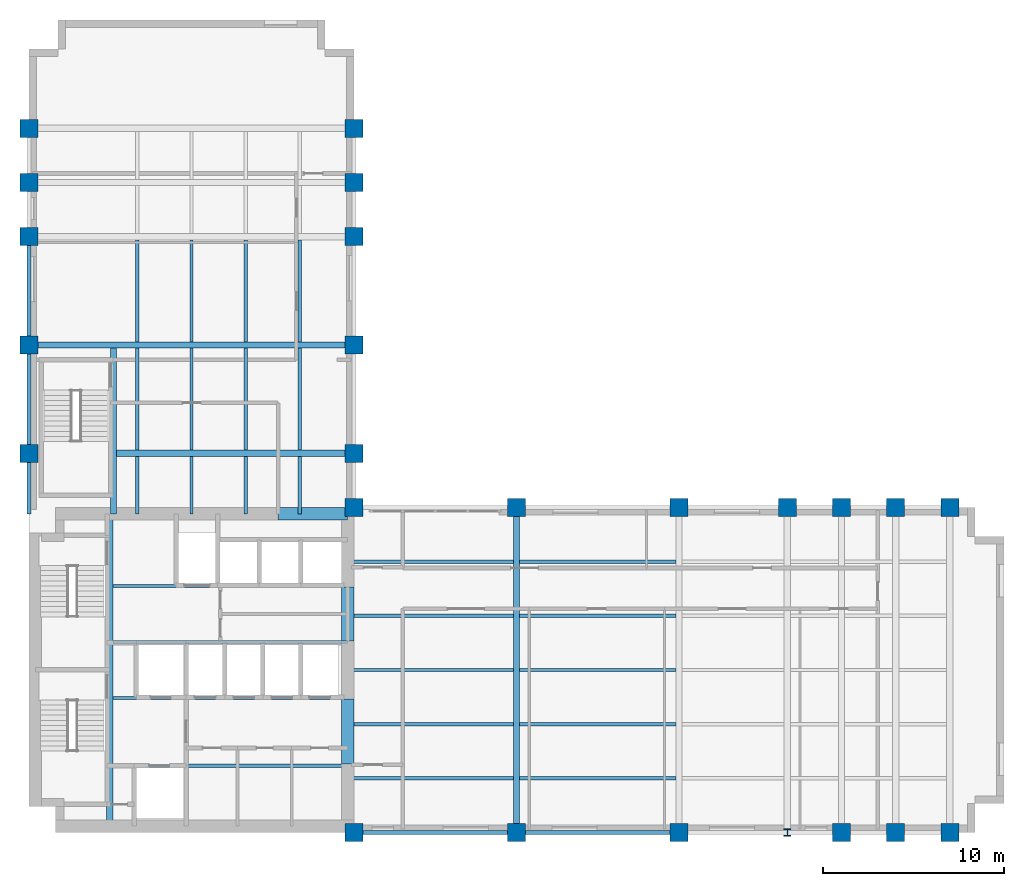
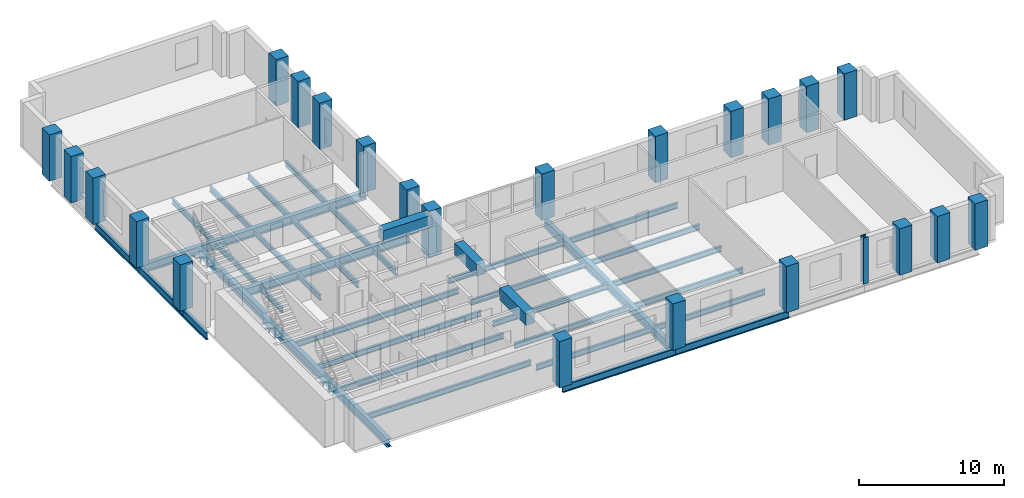
# One storey, part 1 of 8: 39 beams, 24 columns.
"""IFC4 building model written with IfcOpenShell, lengths in metres."""

from ifc_helpers import new_model, si_unit, direction, frame, origin, origin_2d, place, context, subcontext, project, spatial, rectangle, i_section, extrude, material, material_profile, profile_set, type_object, element, save


model = new_model("IFC4")

# Units and contexts
model_context = context("Model", 3, precision=1e-05, world=origin(), true_north=direction((0.0, 1.0)))
body_context = subcontext(model_context, "Body", "Model", "MODEL_VIEW")
ifc_project = project(units=[si_unit("LENGTHUNIT", "METRE"), si_unit("AREAUNIT", "SQUARE_METRE"), si_unit("VOLUMEUNIT", "CUBIC_METRE"), si_unit("PLANEANGLEUNIT", "RADIAN"), si_unit("MASSUNIT", "GRAM", prefix="KILO")], contexts=[model_context])

# Site, building, storey
site_placement = place(None, origin())
site = spatial("IfcSite", under=ifc_project, at=site_placement, CompositionType="ELEMENT")
building_placement = place(site_placement, origin())
building = spatial("IfcBuilding", under=site, at=building_placement, Name="Mawjdan Bourse Tower", CompositionType="ELEMENT")
storey_placement = place(building_placement, frame((0.0, 0.0, 132.300048828125)))
storey = spatial("IfcBuildingStorey", under=building, at=storey_placement, Name="L31", CompositionType="ELEMENT", Elevation=132.300048828125)

# Columns
ifc_material_1 = material(Name="Concrete C70/85", Category="concrete")
ifc_material_profile_1 = material_profile(ifc_material_1, rectangle(XDim=1.0, YDim=1.0, at=origin_2d()), Name="RC1000X1000")
ifc_profile_set_1 = profile_set([ifc_material_profile_1], Name="Concrete C70/85")
column_type_1 = type_object("IfcColumnType", Name="COL-RC1000X1000", PredefinedType="COLUMN", material=ifc_profile_set_1)
for number, where, z_axis, x_axis, name in (
    (1, (24.0, 3.0, 0.0), (0.0, 0.0, 1.0), (1.0, 0.0, 0.0), "L31 Structural Column C-X240-Y30"),
    (2, (24.0, 21.0, 0.0), (0.0, 0.0, 1.0), (1.0, 0.0, 0.0), "L31 Structural Column C-X240-Y210"),
    (3, (33.0, 3.0, 0.0), (0.0, 0.0, 1.0), (1.0, 0.0, 0.0), "L31 Structural Column C-X330-Y30"),
    (4, (33.0, 21.0, 0.0), (0.0, 0.0, 1.0), (1.0, 0.0, 0.0), "L31 Structural Column C-X330-Y210"),
    (5, (42.0, 3.0, 0.0), (0.0, 0.0, 1.0), (1.0, 0.0, 0.0), "L31 Structural Column C-X420-Y30"),
    (6, (42.0, 21.0, 0.0), (0.0, 0.0, 1.0), (1.0, 0.0, 0.0), "L31 Structural Column C-X420-Y210"),
    (7, (48.0, 21.0, 0.0), (0.0, 0.0, 1.0), (1.0, 0.0, 0.0), "L31 Structural Column C-X480-Y210"),
    (8, (51.0, 3.0, 0.0), (0.0, 0.0, 1.0), (1.0, 0.0, 0.0), "L31 Structural Column C-X510-Y30"),
    (9, (51.0, 21.0, 0.0), (0.0, 0.0, 1.0), (1.0, 0.0, 0.0), "L31 Structural Column C-X510-Y210"),
    (10, (54.0, 3.0, 0.0), (0.0, 0.0, 1.0), (1.0, 0.0, 0.0), "L31 Structural Column C-X540-Y30"),
    (11, (54.0, 21.0, 0.0), (0.0, 0.0, 1.0), (1.0, 0.0, 0.0), "L31 Structural Column C-X540-Y210"),
    (12, (57.0, 3.0, 0.0), (0.0, 0.0, 1.0), (1.0, 0.0, 0.0), "L31 Structural Column C-X570-Y30"),
    (13, (57.0, 21.0, 0.0), (0.0, 0.0, 1.0), (1.0, 0.0, 0.0), "L31 Structural Column C-X570-Y210"),
    (14, (6.0, 24.0, 0.0), (0.0, 0.0, 1.0), (1.0, 0.0, 0.0), "L31 Structural Column C-X60-Y240"),
    (15, (24.0, 24.0, 0.0), (0.0, 0.0, 1.0), (1.0, 0.0, 0.0), "L31 Structural Column C-X240-Y240"),
    (16, (6.0, 30.0, 0.0), (0.0, 0.0, 1.0), (1.0, 0.0, 0.0), "L31 Structural Column C-X60-Y300"),
    (17, (24.0, 30.0, 0.0), (0.0, 0.0, 1.0), (1.0, 0.0, 0.0), "L31 Structural Column C-X240-Y300"),
    (18, (6.0, 36.0, 0.0), (0.0, 0.0, 1.0), (1.0, 0.0, 0.0), "L31 Structural Column C-X60-Y360"),
    (19, (24.0, 36.0, 0.0), (0.0, 0.0, 1.0), (1.0, 0.0, 0.0), "L31 Structural Column C-X240-Y360"),
    (20, (6.0, 39.0, 0.0), (0.0, 0.0, 1.0), (1.0, 0.0, 0.0), "L31 Structural Column C-X60-Y390"),
    (21, (24.0, 39.0, 0.0), (0.0, 0.0, 1.0), (1.0, 0.0, 0.0), "L31 Structural Column C-X240-Y390"),
    (22, (6.0, 42.0, 0.0), (0.0, 0.0, 1.0), (1.0, 0.0, 0.0), "L31 Structural Column C-X60-Y420"),
    (23, (24.0, 42.0, 0.0), (0.0, 0.0, 1.0), (1.0, 0.0, 0.0), "L31 Structural Column C-X240-Y420"),
):
    element("IfcColumn", number, at=place(storey_placement, frame(where, z_axis=z_axis, x_axis=x_axis)), inside=storey, type_object=column_type_1, Name=name, PredefinedType="COLUMN", context=body_context, shape_type="SweptSolid", body=[
        extrude(rectangle(XDim=1.0, YDim=1.0, at=origin_2d()), origin(), (0.0, 0.0, 1.0), 3.89990234375),
    ])
ifc_material_2 = material(Name="Structural Steel S355", Category="steel")
ifc_material_profile_2 = material_profile(ifc_material_2, i_section(OverallWidth=0.40087890625, OverallDepth=0.39892578125, WebThickness=0.02490234375, FlangeThickness=0.03955078125, FilletRadius=0.03173828125, at=origin_2d()), Name="W14X211")
ifc_profile_set_2 = profile_set([ifc_material_profile_2], Name="Structural Steel S355")
column_type_2 = type_object("IfcColumnType", Name="COL-W14X211", PredefinedType="COLUMN", material=ifc_profile_set_2)
column_placement = place(storey_placement, frame((48.0, 3.0, 0.0), z_axis=(0.0, 0.0, 1.0), x_axis=(1.0, 0.0, 0.0)))
element("IfcColumn", 24, at=column_placement, inside=storey, type_object=column_type_2, Name="L31 Structural Column C-X480-Y30", PredefinedType="COLUMN", context=body_context, shape_type="SweptSolid", body=[
    extrude(i_section(OverallWidth=0.40087890625, OverallDepth=0.39892578125, WebThickness=0.02490234375, FlangeThickness=0.03955078125, FilletRadius=0.03173828125, at=origin_2d()), origin(), (0.0, 0.0, 1.0), 3.89990234375),
])

# Beams
ifc_material_profile_3 = material_profile(ifc_material_2, i_section(OverallWidth=0.35498046875, OverallDepth=0.696044921875, WebThickness=0.015380859375, FlangeThickness=0.02490234375, FilletRadius=0.019775390625, at=origin_2d()), Name="W27X146")
ifc_profile_set_3 = profile_set([ifc_material_profile_3], Name="Structural Steel S355")
beam_type_1 = type_object("IfcBeamType", Name="GRD-W27X146", PredefinedType="BEAM", material=ifc_profile_set_3)
beam_1_placement = place(storey_placement, frame((10.47998046875, 3.35009765625, -0.548095703125), z_axis=(0.0, 1.0, 0.0), x_axis=(-1.0, 0.0, 0.0)))
element("IfcBeam", 25, at=beam_1_placement, inside=storey, type_object=beam_type_1, Name="L31 Core Stair Trimmer Girder 001", PredefinedType="BEAM", context=body_context, shape_type="SweptSolid", body=[
    extrude(i_section(OverallWidth=0.35498046875, OverallDepth=0.696044921875, WebThickness=0.015380859375, FlangeThickness=0.02490234375, FilletRadius=0.019775390625, at=origin_2d()), origin(), (0.0, 0.0, 1.0), 17.2998046875),
])
beam_2_placement = place(storey_placement, frame((33.0, 3.0, -0.548095703125), z_axis=(0.0, 1.0, 0.0), x_axis=(-1.0, 0.0, 0.0)))
element("IfcBeam", 26, at=beam_2_placement, inside=storey, type_object=beam_type_1, Name="L31 East Wing Clear-Span Girder 002", PredefinedType="BEAM", context=body_context, shape_type="SweptSolid", body=[
    extrude(i_section(OverallWidth=0.35498046875, OverallDepth=0.696044921875, WebThickness=0.015380859375, FlangeThickness=0.02490234375, FilletRadius=0.019775390625, at=origin_2d()), origin(), (0.0, 0.0, 1.0), 18.0),
])
beam_3_placement = place(storey_placement, frame((10.679931640625, 20.64990234375, -0.548095703125), z_axis=(0.0, 1.0, 0.0), x_axis=(-1.0, 0.0, 0.0)))
element("IfcBeam", 27, at=beam_3_placement, inside=storey, type_object=beam_type_1, Name="L31 North Wing Stair Trimmer Girder 054", PredefinedType="BEAM", context=body_context, shape_type="SweptSolid", body=[
    extrude(i_section(OverallWidth=0.35498046875, OverallDepth=0.696044921875, WebThickness=0.015380859375, FlangeThickness=0.02490234375, FilletRadius=0.019775390625, at=origin_2d()), origin(), (0.0, 0.0, 1.0), 9.174560546875),
])
beam_4_placement = place(storey_placement, frame((10.85546875, 24.0, -0.548095703125), z_axis=(1.0, 0.0, 0.0), x_axis=(0.0, 1.0, 0.0)))
element("IfcBeam", 28, at=beam_4_placement, inside=storey, type_object=beam_type_1, Name="L31 North Wing Clear-Span Girder 055", PredefinedType="BEAM", context=body_context, shape_type="SweptSolid", body=[
    extrude(i_section(OverallWidth=0.35498046875, OverallDepth=0.696044921875, WebThickness=0.015380859375, FlangeThickness=0.02490234375, FilletRadius=0.019775390625, at=origin_2d()), origin(), (0.0, 0.0, 1.0), 13.14453125),
])
beam_5_placement = place(storey_placement, frame((6.0, 30.0, -0.548095703125), z_axis=(1.0, 0.0, 0.0), x_axis=(0.0, 1.0, 0.0)))
element("IfcBeam", 29, at=beam_5_placement, inside=storey, type_object=beam_type_1, Name="L31 North Wing Clear-Span Girder 056", PredefinedType="BEAM", context=body_context, shape_type="SweptSolid", body=[
    extrude(i_section(OverallWidth=0.35498046875, OverallDepth=0.696044921875, WebThickness=0.015380859375, FlangeThickness=0.02490234375, FilletRadius=0.019775390625, at=origin_2d()), origin(), (0.0, 0.0, 1.0), 18.0),
])
ifc_material_profile_4 = material_profile(ifc_material_2, i_section(OverallWidth=0.18994140625, OverallDepth=0.45703125, WebThickness=0.009033203125, FlangeThickness=0.014404296875, FilletRadius=0.01171875, at=origin_2d()), Name="W18X50")
ifc_profile_set_4 = profile_set([ifc_material_profile_4], Name="Structural Steel S355")
beam_type_2 = type_object("IfcBeamType", Name="JST-W18X50", PredefinedType="JOIST", material=ifc_profile_set_4)
beam_6_placement = place(storey_placement, frame((23.64990234375, 6.0, -0.428466796875), z_axis=(1.0, 0.0, 0.0), x_axis=(0.0, 1.0, 0.0)))
element("IfcBeam", 30, at=beam_6_placement, inside=storey, type_object=beam_type_2, Name="L31 East Wing Composite Joist 020", PredefinedType="JOIST", context=body_context, shape_type="SweptSolid", body=[
    extrude(i_section(OverallWidth=0.18994140625, OverallDepth=0.45703125, WebThickness=0.009033203125, FlangeThickness=0.014404296875, FilletRadius=0.01171875, at=origin_2d()), origin(), (0.0, 0.0, 1.0), 9.174560546875),
])
beam_7_placement = place(storey_placement, frame((33.175537109375, 6.0, -0.428466796875), z_axis=(1.0, 0.0, 0.0), x_axis=(0.0, 1.0, 0.0)))
element("IfcBeam", 31, at=beam_7_placement, inside=storey, type_object=beam_type_2, Name="L31 East Wing Composite Joist 021", PredefinedType="JOIST", context=body_context, shape_type="SweptSolid", body=[
    extrude(i_section(OverallWidth=0.18994140625, OverallDepth=0.45703125, WebThickness=0.009033203125, FlangeThickness=0.014404296875, FilletRadius=0.01171875, at=origin_2d()), origin(), (0.0, 0.0, 1.0), 8.64892578125),
])
beam_8_placement = place(storey_placement, frame((23.64990234375, 9.0, -0.428466796875), z_axis=(1.0, 0.0, 0.0), x_axis=(0.0, 1.0, 0.0)))
element("IfcBeam", 32, at=beam_8_placement, inside=storey, type_object=beam_type_2, Name="L31 East Wing Composite Joist 026", PredefinedType="JOIST", context=body_context, shape_type="SweptSolid", body=[
    extrude(i_section(OverallWidth=0.18994140625, OverallDepth=0.45703125, WebThickness=0.009033203125, FlangeThickness=0.014404296875, FilletRadius=0.01171875, at=origin_2d()), origin(), (0.0, 0.0, 1.0), 9.174560546875),
])
beam_9_placement = place(storey_placement, frame((33.175537109375, 9.0, -0.428466796875), z_axis=(1.0, 0.0, 0.0), x_axis=(0.0, 1.0, 0.0)))
element("IfcBeam", 33, at=beam_9_placement, inside=storey, type_object=beam_type_2, Name="L31 East Wing Composite Joist 027", PredefinedType="JOIST", context=body_context, shape_type="SweptSolid", body=[
    extrude(i_section(OverallWidth=0.18994140625, OverallDepth=0.45703125, WebThickness=0.009033203125, FlangeThickness=0.014404296875, FilletRadius=0.01171875, at=origin_2d()), origin(), (0.0, 0.0, 1.0), 8.64892578125),
])
beam_10_placement = place(storey_placement, frame((23.64990234375, 12.0, -0.428466796875), z_axis=(1.0, 0.0, 0.0), x_axis=(0.0, 1.0, 0.0)))
element("IfcBeam", 34, at=beam_10_placement, inside=storey, type_object=beam_type_2, Name="L31 East Wing Composite Joist 032", PredefinedType="JOIST", context=body_context, shape_type="SweptSolid", body=[
    extrude(i_section(OverallWidth=0.18994140625, OverallDepth=0.45703125, WebThickness=0.009033203125, FlangeThickness=0.014404296875, FilletRadius=0.01171875, at=origin_2d()), origin(), (0.0, 0.0, 1.0), 9.174560546875),
])
beam_11_placement = place(storey_placement, frame((33.175537109375, 12.0, -0.428466796875), z_axis=(1.0, 0.0, 0.0), x_axis=(0.0, 1.0, 0.0)))
element("IfcBeam", 35, at=beam_11_placement, inside=storey, type_object=beam_type_2, Name="L31 East Wing Composite Joist 033", PredefinedType="JOIST", context=body_context, shape_type="SweptSolid", body=[
    extrude(i_section(OverallWidth=0.18994140625, OverallDepth=0.45703125, WebThickness=0.009033203125, FlangeThickness=0.014404296875, FilletRadius=0.01171875, at=origin_2d()), origin(), (0.0, 0.0, 1.0), 8.64892578125),
])
beam_12_placement = place(storey_placement, frame((23.64990234375, 15.0, -0.428466796875), z_axis=(1.0, 0.0, 0.0), x_axis=(0.0, 1.0, 0.0)))
element("IfcBeam", 36, at=beam_12_placement, inside=storey, type_object=beam_type_2, Name="L31 East Wing Composite Joist 038", PredefinedType="JOIST", context=body_context, shape_type="SweptSolid", body=[
    extrude(i_section(OverallWidth=0.18994140625, OverallDepth=0.45703125, WebThickness=0.009033203125, FlangeThickness=0.014404296875, FilletRadius=0.01171875, at=origin_2d()), origin(), (0.0, 0.0, 1.0), 9.174560546875),
])
beam_13_placement = place(storey_placement, frame((33.175537109375, 15.0, -0.428466796875), z_axis=(1.0, 0.0, 0.0), x_axis=(0.0, 1.0, 0.0)))
element("IfcBeam", 37, at=beam_13_placement, inside=storey, type_object=beam_type_2, Name="L31 East Wing Composite Joist 039", PredefinedType="JOIST", context=body_context, shape_type="SweptSolid", body=[
    extrude(i_section(OverallWidth=0.18994140625, OverallDepth=0.45703125, WebThickness=0.009033203125, FlangeThickness=0.014404296875, FilletRadius=0.01171875, at=origin_2d()), origin(), (0.0, 0.0, 1.0), 8.64892578125),
])
beam_14_placement = place(storey_placement, frame((23.64990234375, 18.0, -0.428466796875), z_axis=(1.0, 0.0, 0.0), x_axis=(0.0, 1.0, 0.0)))
element("IfcBeam", 38, at=beam_14_placement, inside=storey, type_object=beam_type_2, Name="L31 East Wing Composite Joist 044", PredefinedType="JOIST", context=body_context, shape_type="SweptSolid", body=[
    extrude(i_section(OverallWidth=0.18994140625, OverallDepth=0.45703125, WebThickness=0.009033203125, FlangeThickness=0.014404296875, FilletRadius=0.01171875, at=origin_2d()), origin(), (0.0, 0.0, 1.0), 9.174560546875),
])
beam_15_placement = place(storey_placement, frame((33.175537109375, 18.0, -0.428466796875), z_axis=(1.0, 0.0, 0.0), x_axis=(0.0, 1.0, 0.0)))
element("IfcBeam", 39, at=beam_15_placement, inside=storey, type_object=beam_type_2, Name="L31 East Wing Composite Joist 045", PredefinedType="JOIST", context=body_context, shape_type="SweptSolid", body=[
    extrude(i_section(OverallWidth=0.18994140625, OverallDepth=0.45703125, WebThickness=0.009033203125, FlangeThickness=0.014404296875, FilletRadius=0.01171875, at=origin_2d()), origin(), (0.0, 0.0, 1.0), 8.64892578125),
])
for number, where, z_axis, x_axis, name in (
    (40, (10.655517578125, 6.699951171875, -0.428466796875), (1.0, 0.0, 0.0), (0.0, 1.0, 0.0), "L31 Core Floor Joist 050"),
    (41, (10.655517578125, 10.449951171875, -0.428466796875), (1.0, 0.0, 0.0), (0.0, 1.0, 0.0), "L31 Core Floor Joist 051"),
    (42, (10.655517578125, 13.550048828125, -0.428466796875), (1.0, 0.0, 0.0), (0.0, 1.0, 0.0), "L31 Core Floor Joist 052"),
    (43, (10.655517578125, 16.64990234375, -0.428466796875), (1.0, 0.0, 0.0), (0.0, 1.0, 0.0), "L31 Core Floor Joist 053"),
):
    element("IfcBeam", number, at=place(storey_placement, frame(where, z_axis=z_axis, x_axis=x_axis)), inside=storey, type_object=beam_type_2, Name=name, PredefinedType="JOIST", context=body_context, shape_type="SweptSolid", body=[
        extrude(i_section(OverallWidth=0.18994140625, OverallDepth=0.45703125, WebThickness=0.009033203125, FlangeThickness=0.014404296875, FilletRadius=0.01171875, at=origin_2d()), origin(), (0.0, 0.0, 1.0), 12.994384765625),
    ])
beam_16_placement = place(storey_placement, frame((12.0, 20.64990234375, -0.428466796875), z_axis=(0.0, 1.0, 0.0), x_axis=(-1.0, 0.0, 0.0)))
element("IfcBeam", 44, at=beam_16_placement, inside=storey, type_object=beam_type_2, Name="L31 North Wing Composite Joist 070", PredefinedType="JOIST", context=body_context, shape_type="SweptSolid", body=[
    extrude(i_section(OverallWidth=0.18994140625, OverallDepth=0.45703125, WebThickness=0.009033203125, FlangeThickness=0.014404296875, FilletRadius=0.01171875, at=origin_2d()), origin(), (0.0, 0.0, 1.0), 3.174560546875),
])
for number, where, z_axis, x_axis, name in (
    (45, (12.0, 24.175537109375, -0.428466796875), (0.0, 1.0, 0.0), (-1.0, 0.0, 0.0), "L31 North Wing Composite Joist 071"),
    (46, (12.0, 30.175537109375, -0.428466796875), (0.0, 1.0, 0.0), (-1.0, 0.0, 0.0), "L31 North Wing Composite Joist 072"),
):
    element("IfcBeam", number, at=place(storey_placement, frame(where, z_axis=z_axis, x_axis=x_axis)), inside=storey, type_object=beam_type_2, Name=name, PredefinedType="JOIST", context=body_context, shape_type="SweptSolid", body=[
        extrude(i_section(OverallWidth=0.18994140625, OverallDepth=0.45703125, WebThickness=0.009033203125, FlangeThickness=0.014404296875, FilletRadius=0.01171875, at=origin_2d()), origin(), (0.0, 0.0, 1.0), 5.64892578125),
    ])
beam_17_placement = place(storey_placement, frame((15.0, 20.64990234375, -0.428466796875), z_axis=(0.0, 1.0, 0.0), x_axis=(-1.0, 0.0, 0.0)))
element("IfcBeam", 47, at=beam_17_placement, inside=storey, type_object=beam_type_2, Name="L31 North Wing Composite Joist 075", PredefinedType="JOIST", context=body_context, shape_type="SweptSolid", body=[
    extrude(i_section(OverallWidth=0.18994140625, OverallDepth=0.45703125, WebThickness=0.009033203125, FlangeThickness=0.014404296875, FilletRadius=0.01171875, at=origin_2d()), origin(), (0.0, 0.0, 1.0), 3.174560546875),
])
for number, where, z_axis, x_axis, name in (
    (48, (15.0, 24.175537109375, -0.428466796875), (0.0, 1.0, 0.0), (-1.0, 0.0, 0.0), "L31 North Wing Composite Joist 076"),
    (49, (15.0, 30.175537109375, -0.428466796875), (0.0, 1.0, 0.0), (-1.0, 0.0, 0.0), "L31 North Wing Composite Joist 077"),
):
    element("IfcBeam", number, at=place(storey_placement, frame(where, z_axis=z_axis, x_axis=x_axis)), inside=storey, type_object=beam_type_2, Name=name, PredefinedType="JOIST", context=body_context, shape_type="SweptSolid", body=[
        extrude(i_section(OverallWidth=0.18994140625, OverallDepth=0.45703125, WebThickness=0.009033203125, FlangeThickness=0.014404296875, FilletRadius=0.01171875, at=origin_2d()), origin(), (0.0, 0.0, 1.0), 5.64892578125),
    ])
beam_18_placement = place(storey_placement, frame((18.0, 20.64990234375, -0.428466796875), z_axis=(0.0, 1.0, 0.0), x_axis=(-1.0, 0.0, 0.0)))
element("IfcBeam", 50, at=beam_18_placement, inside=storey, type_object=beam_type_2, Name="L31 North Wing Composite Joist 080", PredefinedType="JOIST", context=body_context, shape_type="SweptSolid", body=[
    extrude(i_section(OverallWidth=0.18994140625, OverallDepth=0.45703125, WebThickness=0.009033203125, FlangeThickness=0.014404296875, FilletRadius=0.01171875, at=origin_2d()), origin(), (0.0, 0.0, 1.0), 3.174560546875),
])
for number, where, z_axis, x_axis, name in (
    (51, (18.0, 24.175537109375, -0.428466796875), (0.0, 1.0, 0.0), (-1.0, 0.0, 0.0), "L31 North Wing Composite Joist 081"),
    (52, (18.0, 30.175537109375, -0.428466796875), (0.0, 1.0, 0.0), (-1.0, 0.0, 0.0), "L31 North Wing Composite Joist 082"),
):
    element("IfcBeam", number, at=place(storey_placement, frame(where, z_axis=z_axis, x_axis=x_axis)), inside=storey, type_object=beam_type_2, Name=name, PredefinedType="JOIST", context=body_context, shape_type="SweptSolid", body=[
        extrude(i_section(OverallWidth=0.18994140625, OverallDepth=0.45703125, WebThickness=0.009033203125, FlangeThickness=0.014404296875, FilletRadius=0.01171875, at=origin_2d()), origin(), (0.0, 0.0, 1.0), 5.64892578125),
    ])
beam_19_placement = place(storey_placement, frame((21.0, 20.64990234375, -0.428466796875), z_axis=(0.0, 1.0, 0.0), x_axis=(-1.0, 0.0, 0.0)))
element("IfcBeam", 53, at=beam_19_placement, inside=storey, type_object=beam_type_2, Name="L31 North Wing Composite Joist 085", PredefinedType="JOIST", context=body_context, shape_type="SweptSolid", body=[
    extrude(i_section(OverallWidth=0.18994140625, OverallDepth=0.45703125, WebThickness=0.009033203125, FlangeThickness=0.014404296875, FilletRadius=0.01171875, at=origin_2d()), origin(), (0.0, 0.0, 1.0), 3.174560546875),
])
for number, where, z_axis, x_axis, name in (
    (54, (21.0, 24.175537109375, -0.428466796875), (0.0, 1.0, 0.0), (-1.0, 0.0, 0.0), "L31 North Wing Composite Joist 086"),
    (55, (21.0, 30.175537109375, -0.428466796875), (0.0, 1.0, 0.0), (-1.0, 0.0, 0.0), "L31 North Wing Composite Joist 087"),
):
    element("IfcBeam", number, at=place(storey_placement, frame(where, z_axis=z_axis, x_axis=x_axis)), inside=storey, type_object=beam_type_2, Name=name, PredefinedType="JOIST", context=body_context, shape_type="SweptSolid", body=[
        extrude(i_section(OverallWidth=0.18994140625, OverallDepth=0.45703125, WebThickness=0.009033203125, FlangeThickness=0.014404296875, FilletRadius=0.01171875, at=origin_2d()), origin(), (0.0, 0.0, 1.0), 5.64892578125),
    ])
ifc_material_profile_5 = material_profile(ifc_material_1, rectangle(XDim=0.699951171875, YDim=1.0, at=origin_2d()), Name="RCB700X1000")
ifc_profile_set_5 = profile_set([ifc_material_profile_5], Name="Concrete C70/85")
beam_type_3 = type_object("IfcBeamType", Name="LNT-RCB700X1000", PredefinedType="LINTEL", material=ifc_profile_set_5)
beam_20_placement = place(storey_placement, frame((23.64990234375, 6.800048828125, 3.199951171875), z_axis=(0.0, 1.0, 0.0), x_axis=(-1.0, 0.0, 0.0)))
element("IfcBeam", 56, at=beam_20_placement, inside=storey, type_object=beam_type_3, Name="L31 Coupled Core Lintel CB-E1", PredefinedType="LINTEL", context=body_context, shape_type="SweptSolid", body=[
    extrude(rectangle(XDim=0.699951171875, YDim=1.0, at=origin_2d()), origin(), (0.0, 0.0, 1.0), 3.599853515625),
])
beam_21_placement = place(storey_placement, frame((23.64990234375, 13.60009765625, 3.199951171875), z_axis=(0.0, 1.0, 0.0), x_axis=(-1.0, 0.0, 0.0)))
element("IfcBeam", 57, at=beam_21_placement, inside=storey, type_object=beam_type_3, Name="L31 Coupled Core Lintel CB-E2", PredefinedType="LINTEL", context=body_context, shape_type="SweptSolid", body=[
    extrude(rectangle(XDim=0.699951171875, YDim=1.0, at=origin_2d()), origin(), (0.0, 0.0, 1.0), 3.0),
])
beam_22_placement = place(storey_placement, frame((19.800048828125, 20.64990234375, 3.199951171875), z_axis=(1.0, 0.0, 0.0), x_axis=(0.0, 1.0, 0.0)))
element("IfcBeam", 58, at=beam_22_placement, inside=storey, type_object=beam_type_3, Name="L31 Coupled Core Lintel CB-N1", PredefinedType="LINTEL", context=body_context, shape_type="SweptSolid", body=[
    extrude(rectangle(XDim=0.699951171875, YDim=1.0, at=origin_2d()), origin(), (0.0, 0.0, 1.0), 3.849853515625),
])
ifc_material_profile_6 = material_profile(ifc_material_2, i_section(OverallWidth=0.22998046875, OverallDepth=0.616943359375, WebThickness=0.01318359375, FlangeThickness=0.022216796875, FilletRadius=0.017822265625, at=origin_2d()), Name="W24X94")
ifc_profile_set_6 = profile_set([ifc_material_profile_6], Name="Structural Steel S355")
beam_type_4 = type_object("IfcBeamType", Name="SPN-W24X94", PredefinedType="SPANDREL", material=ifc_profile_set_6)
for number, where, z_axis, x_axis, name in (
    (59, (24.0, 3.0, -0.508544921875), (1.0, 0.0, 0.0), (0.0, 1.0, 0.0), "L31 Perimeter Masonry-Shelf Spandrel 008"),
    (60, (33.0, 3.0, -0.508544921875), (1.0, 0.0, 0.0), (0.0, 1.0, 0.0), "L31 Perimeter Masonry-Shelf Spandrel 009"),
):
    element("IfcBeam", number, at=place(storey_placement, frame(where, z_axis=z_axis, x_axis=x_axis)), inside=storey, type_object=beam_type_4, Name=name, PredefinedType="SPANDREL", context=body_context, shape_type="SweptSolid", body=[
        extrude(i_section(OverallWidth=0.22998046875, OverallDepth=0.616943359375, WebThickness=0.01318359375, FlangeThickness=0.022216796875, FilletRadius=0.017822265625, at=origin_2d()), origin(), (0.0, 0.0, 1.0), 9.0),
    ])
beam_23_placement = place(storey_placement, frame((6.0, 20.64990234375, -0.508544921875), z_axis=(0.0, 1.0, 0.0), x_axis=(-1.0, 0.0, 0.0)))
element("IfcBeam", 61, at=beam_23_placement, inside=storey, type_object=beam_type_4, Name="L31 North Wing Spandrel 060", PredefinedType="SPANDREL", context=body_context, shape_type="SweptSolid", body=[
    extrude(i_section(OverallWidth=0.22998046875, OverallDepth=0.616943359375, WebThickness=0.01318359375, FlangeThickness=0.022216796875, FilletRadius=0.017822265625, at=origin_2d()), origin(), (0.0, 0.0, 1.0), 3.35009765625),
])
for number, where, z_axis, x_axis, name in (
    (62, (6.0, 24.0, -0.508544921875), (0.0, 1.0, 0.0), (-1.0, 0.0, 0.0), "L31 North Wing Spandrel 061"),
    (63, (6.0, 30.0, -0.508544921875), (0.0, 1.0, 0.0), (-1.0, 0.0, 0.0), "L31 North Wing Spandrel 062"),
):
    element("IfcBeam", number, at=place(storey_placement, frame(where, z_axis=z_axis, x_axis=x_axis)), inside=storey, type_object=beam_type_4, Name=name, PredefinedType="SPANDREL", context=body_context, shape_type="SweptSolid", body=[
        extrude(i_section(OverallWidth=0.22998046875, OverallDepth=0.616943359375, WebThickness=0.01318359375, FlangeThickness=0.022216796875, FilletRadius=0.017822265625, at=origin_2d()), origin(), (0.0, 0.0, 1.0), 6.0),
    ])

save(model, "model.ifc")
